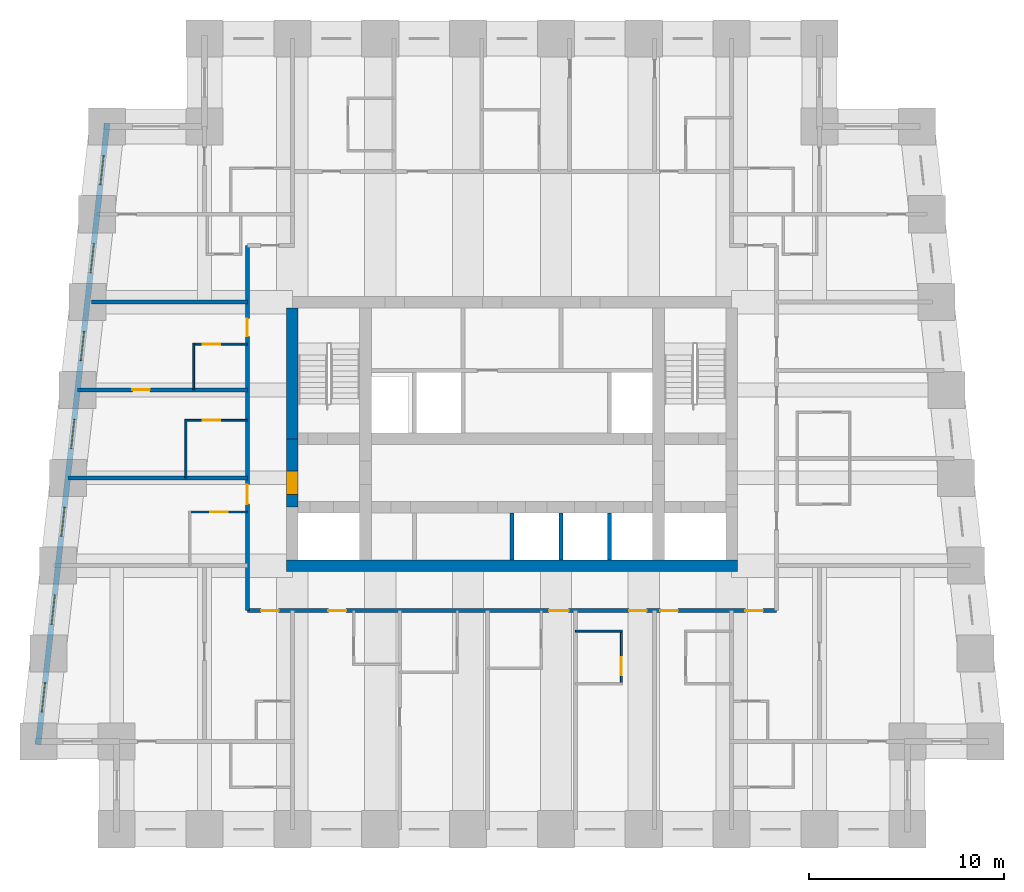
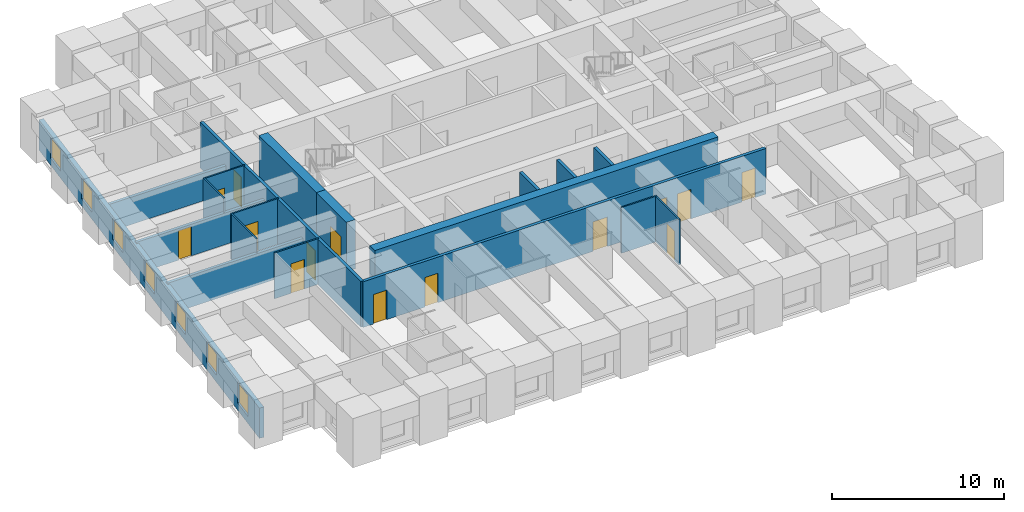
# One storey, part 3 of 8: 19 walls, 14 doors, 7 windows, 21 openings.
"""IFC4 building model written with IfcOpenShell, lengths in metres."""

from ifc_helpers import new_model, si_unit, direction, frame, frame_2d, origin, place, context, subcontext, project, spatial, rectangle, extrude, material, layer, layer_set, type_object, element, fill, save


model = new_model("IFC4")

# Units and contexts
model_context = context("Model", 3, precision=1e-05, world=origin(), true_north=direction((0.0, 1.0)))
body_context = subcontext(model_context, "Body", "Model", "MODEL_VIEW")
ifc_project = project(units=[si_unit("LENGTHUNIT", "METRE"), si_unit("AREAUNIT", "SQUARE_METRE"), si_unit("VOLUMEUNIT", "CUBIC_METRE"), si_unit("PLANEANGLEUNIT", "RADIAN"), si_unit("MASSUNIT", "GRAM", prefix="KILO")], contexts=[model_context])

# Site, building, storey
site_placement = place(None, origin())
site = spatial("IfcSite", under=ifc_project, at=site_placement, CompositionType="ELEMENT")
building_placement = place(site_placement, origin())
building = spatial("IfcBuilding", under=site, at=building_placement, Name="Kilele Tower Hotel", CompositionType="ELEMENT")
storey_placement = place(building_placement, frame((0.0, 0.0, 128.39990234375)))
storey = spatial("IfcBuildingStorey", under=building, at=storey_placement, Name="L33", CompositionType="ELEMENT", Elevation=128.39990234375)

# Wall
ifc_material_1 = material(Name="Moisture-resistant board")
ifc_layer_1 = layer(ifc_material_1, 0.10009765625)
ifc_layer_set_1 = layer_set([ifc_layer_1], Name="Moisture-resistant board")
wall_type_1 = type_object("IfcWallType", Name="Bathroom partition 100", PredefinedType="PLUMBINGWALL", material=ifc_layer_set_1)
wall_1_placement = place(storey_placement, frame((28.0, 10.14990234375, 0.0), z_axis=(0.0, 0.0, 1.0), x_axis=(1.0, 0.0, 0.0)))
element("IfcWall", 1, at=wall_1_placement, inside=storey, type_object=wall_type_1, Name="Bathroom partition 100 L33", PredefinedType="PLUMBINGWALL", context=body_context, shape_type="SweptSolid", body=[
    extrude(rectangle(XDim=2.39990234375, YDim=0.10009765625, at=frame_2d((1.199951171875, 0.0))), origin(), (0.0, 0.0, 1.0), 3.25),
])

# Wall, opening, door
wall_2_placement = place(storey_placement, frame((30.35009765625, 10.199951171875, 0.0), z_axis=(0.0, 0.0, 1.0), x_axis=(0.0, -1.0, 0.0)))
wall_2 = element("IfcWall", 2, at=wall_2_placement, inside=storey, type_object=wall_type_1, Name="Bathroom partition 100 L33", PredefinedType="PLUMBINGWALL", context=body_context, shape_type="SweptSolid", body=[
    extrude(rectangle(XDim=2.800048828125, YDim=0.10009765625, at=frame_2d((1.39990234375, 0.0))), origin(), (0.0, 0.0, 1.0), 3.25),
])
opening_1_placement = place(wall_2_placement, frame((1.39990234375, 0.0, 0.0)))
opening_1 = element("IfcOpeningElement", 3, at=opening_1_placement, cuts=wall_2, Name="Opening D2A", PredefinedType="OPENING", context=body_context, shape_type="SweptSolid", body=[
    extrude(rectangle(XDim=0.89990234375, YDim=2.10009765625, at=frame_2d((0.449951171875, 1.050048828125))), frame((0.0, 0.06005859375, 0.0), z_axis=(0.0, -1.0, 0.0), x_axis=(1.0, 0.0, 0.0)), (0.0, 0.0, 1.0), 0.1201171875),
])
ifc_material_2 = material(Name="Timber door leaf in hardwood frame", Category="wood")
door_type_1 = type_object("IfcDoorType", Name="Bathroom door 900", OperationType="SINGLE_SWING_LEFT", PredefinedType="DOOR", material=ifc_material_2)
door_1_placement = place(opening_1_placement, origin())
door_1 = element("IfcDoor", 4, at=door_1_placement, inside=storey, type_object=door_type_1, Name="Bathroom door 3304B", OperationType="SINGLE_SWING_RIGHT", OverallHeight=2.10009765625, OverallWidth=0.89990234375, PredefinedType="DOOR", context=body_context, shape_type="SweptSolid", body=[
    extrude(rectangle(XDim=0.89990234375, YDim=2.10009765625, at=frame_2d((0.449951171875, 1.050048828125))), frame((0.0, 0.02490234375, 0.0), z_axis=(0.0, -1.0, 0.0), x_axis=(1.0, 0.0, 0.0)), (0.0, 0.0, 1.0), 0.050048828125),
])
fill(opening_1, door_1)

wall_3_placement = place(storey_placement, frame((11.199951171875, 16.25, 0.0), z_axis=(0.0, 0.0, 1.0), x_axis=(-1.0, 0.0, 0.0)))
wall_3 = element("IfcWall", 5, at=wall_3_placement, inside=storey, type_object=wall_type_1, Name="Bathroom partition 100 L33", PredefinedType="PLUMBINGWALL", context=body_context, shape_type="SweptSolid", body=[
    extrude(rectangle(XDim=3.0, YDim=0.10009765625, at=frame_2d((1.5, 0.0))), origin(), (0.0, 0.0, 1.0), 3.25),
])
opening_2_placement = place(wall_3_placement, frame((1.89990234375, 0.0, 0.0), z_axis=(0.0, 0.0, 1.0), x_axis=(-1.0, 0.0, 0.0)))
opening_2 = element("IfcOpeningElement", 6, at=opening_2_placement, cuts=wall_3, Name="Opening D2A", PredefinedType="OPENING", context=body_context, shape_type="SweptSolid", body=[
    extrude(rectangle(XDim=0.89990234375, YDim=2.10009765625, at=frame_2d((0.449951171875, 1.050048828125))), frame((0.0, 0.06005859375, 0.0), z_axis=(0.0, -1.0, 0.0), x_axis=(1.0, 0.0, 0.0)), (0.0, 0.0, 1.0), 0.1201171875),
])
door_2_placement = place(opening_2_placement, origin())
door_2 = element("IfcDoor", 7, at=door_2_placement, inside=storey, type_object=door_type_1, Name="Bathroom door 3314B", OperationType="SINGLE_SWING_RIGHT", OverallHeight=2.10009765625, OverallWidth=0.89990234375, PredefinedType="DOOR", context=body_context, shape_type="SweptSolid", body=[
    extrude(rectangle(XDim=0.89990234375, YDim=2.10009765625, at=frame_2d((0.449951171875, 1.050048828125))), frame((0.0, 0.02490234375, 0.0), z_axis=(0.0, -1.0, 0.0), x_axis=(1.0, 0.0, 0.0)), (0.0, 0.0, 1.0), 0.050048828125),
])
fill(opening_2, door_2)

# Wall
wall_4_placement = place(storey_placement, frame((8.050048828125, 18.0, 0.0), z_axis=(0.0, 0.0, 1.0), x_axis=(0.0, 1.0, 0.0)))
element("IfcWall", 8, at=wall_4_placement, inside=storey, type_object=wall_type_1, Name="Bathroom partition 100 L33", PredefinedType="PLUMBINGWALL", context=body_context, shape_type="SweptSolid", body=[
    extrude(rectangle(XDim=3.0, YDim=0.10009765625, at=frame_2d((1.5, 0.0))), origin(), (0.0, 0.0, 1.0), 3.25),
])

# Wall, opening, door
wall_5_placement = place(storey_placement, frame((11.199951171875, 20.949951171875, 0.0), z_axis=(0.0, 0.0, 1.0), x_axis=(-1.0, 0.0, 0.0)))
wall_5 = element("IfcWall", 9, at=wall_5_placement, inside=storey, type_object=wall_type_1, Name="Bathroom partition 100 L33", PredefinedType="PLUMBINGWALL", context=body_context, shape_type="SweptSolid", body=[
    extrude(rectangle(XDim=3.199951171875, YDim=0.10009765625, at=frame_2d((1.60009765625, 0.0))), origin(), (0.0, 0.0, 1.0), 3.25),
])
opening_3_placement = place(wall_5_placement, frame((2.2998046875, 0.0, 0.0), z_axis=(0.0, 0.0, 1.0), x_axis=(-1.0, 0.0, 0.0)))
opening_3 = element("IfcOpeningElement", 10, at=opening_3_placement, cuts=wall_5, Name="Opening D2A", PredefinedType="OPENING", context=body_context, shape_type="SweptSolid", body=[
    extrude(rectangle(XDim=0.89990234375, YDim=2.10009765625, at=frame_2d((0.449951171875, 1.050048828125))), frame((0.0, 0.06005859375, 0.0), z_axis=(0.0, -1.0, 0.0), x_axis=(1.0, 0.0, 0.0)), (0.0, 0.0, 1.0), 0.1201171875),
])
door_3_placement = place(opening_3_placement, origin())
door_3 = element("IfcDoor", 11, at=door_3_placement, inside=storey, type_object=door_type_1, Name="Bathroom door 3315B", OperationType="SINGLE_SWING_RIGHT", OverallHeight=2.10009765625, OverallWidth=0.89990234375, PredefinedType="DOOR", context=body_context, shape_type="SweptSolid", body=[
    extrude(rectangle(XDim=0.89990234375, YDim=2.10009765625, at=frame_2d((0.449951171875, 1.050048828125))), frame((0.0, 0.02490234375, 0.0), z_axis=(0.0, -1.0, 0.0), x_axis=(1.0, 0.0, 0.0)), (0.0, 0.0, 1.0), 0.050048828125),
])
fill(opening_3, door_3)

# Wall
wall_6_placement = place(storey_placement, frame((8.449951171875, 22.5, 0.0), z_axis=(0.0, 0.0, 1.0), x_axis=(0.0, 1.0, 0.0)))
element("IfcWall", 12, at=wall_6_placement, inside=storey, type_object=wall_type_1, Name="Bathroom partition 100 L33", PredefinedType="PLUMBINGWALL", context=body_context, shape_type="SweptSolid", body=[
    extrude(rectangle(XDim=2.39990234375, YDim=0.10009765625, at=frame_2d((1.199951171875, 0.0))), origin(), (0.0, 0.0, 1.0), 3.25),
])

# Wall, opening, door
wall_7_placement = place(storey_placement, frame((11.199951171875, 24.85009765625, 0.0), z_axis=(0.0, 0.0, 1.0), x_axis=(-1.0, 0.0, 0.0)))
wall_7 = element("IfcWall", 13, at=wall_7_placement, inside=storey, type_object=wall_type_1, Name="Bathroom partition 100 L33", PredefinedType="PLUMBINGWALL", context=body_context, shape_type="SweptSolid", body=[
    extrude(rectangle(XDim=2.800048828125, YDim=0.10009765625, at=frame_2d((1.39990234375, 0.0))), origin(), (0.0, 0.0, 1.0), 3.25),
])
opening_4_placement = place(wall_7_placement, frame((2.2998046875, 0.0, 0.0), z_axis=(0.0, 0.0, 1.0), x_axis=(-1.0, 0.0, 0.0)))
opening_4 = element("IfcOpeningElement", 14, at=opening_4_placement, cuts=wall_7, Name="Opening D2A", PredefinedType="OPENING", context=body_context, shape_type="SweptSolid", body=[
    extrude(rectangle(XDim=0.89990234375, YDim=2.10009765625, at=frame_2d((0.449951171875, 1.050048828125))), frame((0.0, 0.06005859375, 0.0), z_axis=(0.0, -1.0, 0.0), x_axis=(1.0, 0.0, 0.0)), (0.0, 0.0, 1.0), 0.1201171875),
])
door_4_placement = place(opening_4_placement, origin())
door_4 = element("IfcDoor", 15, at=door_4_placement, inside=storey, type_object=door_type_1, Name="Bathroom door 3316B", OperationType="SINGLE_SWING_RIGHT", OverallHeight=2.10009765625, OverallWidth=0.89990234375, PredefinedType="DOOR", context=body_context, shape_type="SweptSolid", body=[
    extrude(rectangle(XDim=0.89990234375, YDim=2.10009765625, at=frame_2d((0.449951171875, 1.050048828125))), frame((0.0, 0.02490234375, 0.0), z_axis=(0.0, -1.0, 0.0), x_axis=(1.0, 0.0, 0.0)), (0.0, 0.0, 1.0), 0.050048828125),
])
fill(opening_4, door_4)

# Walls
ifc_material_3 = material(Name="Concrete C60/75", Category="concrete")
ifc_layer_2 = layer(ifc_material_3, 0.60009765625)
ifc_layer_set_2 = layer_set([ifc_layer_2], Name="Concrete C60/75")
wall_type_2 = type_object("IfcWallType", Name="Core wall 600 C60/75", PredefinedType="SHEAR", material=ifc_layer_set_2)
wall_8_placement = place(storey_placement, frame((13.199951171875, 13.5, 0.0), z_axis=(0.0, 0.0, 1.0), x_axis=(1.0, 0.0, 0.0)))
element("IfcWall", 16, at=wall_8_placement, inside=storey, type_object=wall_type_2, Name="Core wall S L33", PredefinedType="SHEAR", context=body_context, shape_type="SweptSolid", body=[
    extrude(rectangle(XDim=23.10009765625, YDim=0.60009765625, at=frame_2d((11.550048828125, 0.0))), origin(), (0.0, 0.0, 1.0), 3.5),
])
wall_9_placement = place(storey_placement, frame((13.5, 26.699951171875, 0.0), z_axis=(0.0, 0.0, 1.0), x_axis=(0.0, -1.0, 0.0)))
element("IfcWall", 17, at=wall_9_placement, inside=storey, type_object=wall_type_2, Name="Core wall W1 L33", PredefinedType="SHEAR", context=body_context, shape_type="SweptSolid", body=[
    extrude(rectangle(XDim=6.699951171875, YDim=0.60009765625, at=frame_2d((3.35009765625, 0.0))), origin(), (0.0, 0.0, 1.0), 3.5),
])

# Wall, opening, door
wall_10_placement = place(storey_placement, frame((13.5, 20.0, 0.0), z_axis=(0.0, 0.0, 1.0), x_axis=(0.0, -1.0, 0.0)))
wall_10 = element("IfcWall", 18, at=wall_10_placement, inside=storey, type_object=wall_type_2, Name="Core wall W2 L33", PredefinedType="SHEAR", context=body_context, shape_type="SweptSolid", body=[
    extrude(rectangle(XDim=3.5, YDim=0.60009765625, at=frame_2d((1.75, 0.0))), origin(), (0.0, 0.0, 1.0), 3.5),
])
opening_5_placement = place(wall_10_placement, frame((1.64990234375, 0.0, 0.0)))
opening_5 = element("IfcOpeningElement", 19, at=opening_5_placement, cuts=wall_10, Name="Opening D4", PredefinedType="OPENING", context=body_context, shape_type="SweptSolid", body=[
    extrude(rectangle(XDim=1.199951171875, YDim=2.10009765625, at=frame_2d((0.60009765625, 1.050048828125))), frame((0.0, 0.31005859375, 0.0), z_axis=(0.0, -1.0, 0.0), x_axis=(1.0, 0.0, 0.0)), (0.0, 0.0, 1.0), 0.6201171875),
])
ifc_material_4 = material(Name="Timber door leaf in hardwood frame", Category="wood")
door_type_2 = type_object("IfcDoorType", Name="Firefighting lobby door 1200", OperationType="SINGLE_SWING_LEFT", PredefinedType="DOOR", material=ifc_material_4)
door_5_placement = place(opening_5_placement, origin())
door_5 = element("IfcDoor", 20, at=door_5_placement, inside=storey, type_object=door_type_2, Name="Lobby door L33", OperationType="SINGLE_SWING_RIGHT", OverallHeight=2.10009765625, OverallWidth=1.199951171875, PredefinedType="DOOR", context=body_context, shape_type="SweptSolid", body=[
    extrude(rectangle(XDim=1.199951171875, YDim=2.10009765625, at=frame_2d((0.60009765625, 1.050048828125))), frame((0.0, 0.2998046875, 0.0), z_axis=(0.0, -1.0, 0.0), x_axis=(1.0, 0.0, 0.0)), (0.0, 0.0, 1.0), 0.599609375),
])
fill(opening_5, door_5)

# Wall, openings, doors
ifc_material_5 = material(Name="Blockwork, plastered both sides", Category="masonry")
ifc_layer_3 = layer(ifc_material_5, 0.199951171875)
ifc_layer_set_3 = layer_set([ifc_layer_3], Name="Blockwork, plastered both sides")
wall_type_3 = type_object("IfcWallType", Name="Corridor wall 200", PredefinedType="PARTITIONING", material=ifc_layer_set_3)
wall_11_placement = place(storey_placement, frame((11.199951171875, 11.199951171875, 0.0), z_axis=(0.0, 0.0, 1.0), x_axis=(1.0, 0.0, 0.0)))
wall_11 = element("IfcWall", 21, at=wall_11_placement, inside=storey, type_object=wall_type_3, Name="Corridor wall 200 L33", PredefinedType="PARTITIONING", context=body_context, shape_type="SweptSolid", body=[
    extrude(rectangle(XDim=27.10009765625, YDim=0.199951171875, at=frame_2d((13.550048828125, 0.0))), origin(), (0.0, 0.0, 1.0), 3.25),
])
opening_6_placement = place(wall_11_placement, frame((5.0498046875, 0.0, 0.0), z_axis=(0.0, 0.0, 1.0), x_axis=(-1.0, 0.0, 0.0)))
opening_6 = element("IfcOpeningElement", 22, at=opening_6_placement, cuts=wall_11, Name="Opening D1", PredefinedType="OPENING", context=body_context, shape_type="SweptSolid", body=[
    extrude(rectangle(XDim=0.89990234375, YDim=2.10009765625, at=frame_2d((0.449951171875, 1.050048828125))), frame((0.0, 0.10986328125, 0.0), z_axis=(0.0, -1.0, 0.0), x_axis=(1.0, 0.0, 0.0)), (0.0, 0.0, 1.0), 0.219970703125),
])
opening_7_placement = place(wall_11_placement, frame((16.449951171875, 0.0, 0.0), z_axis=(0.0, 0.0, 1.0), x_axis=(-1.0, 0.0, 0.0)))
opening_7 = element("IfcOpeningElement", 23, at=opening_7_placement, cuts=wall_11, Name="Opening D1A", PredefinedType="OPENING", context=body_context, shape_type="SweptSolid", body=[
    extrude(rectangle(XDim=1.0, YDim=2.10009765625, at=frame_2d((0.5, 1.050048828125))), frame((0.0, 0.10986328125, 0.0), z_axis=(0.0, -1.0, 0.0), x_axis=(1.0, 0.0, 0.0)), (0.0, 0.0, 1.0), 0.219970703125),
])
opening_8_placement = place(wall_11_placement, frame((20.449951171875, 0.0, 0.0), z_axis=(0.0, 0.0, 1.0), x_axis=(-1.0, 0.0, 0.0)))
opening_8 = element("IfcOpeningElement", 24, at=opening_8_placement, cuts=wall_11, Name="Opening D1", PredefinedType="OPENING", context=body_context, shape_type="SweptSolid", body=[
    extrude(rectangle(XDim=0.89990234375, YDim=2.10009765625, at=frame_2d((0.449951171875, 1.050048828125))), frame((0.0, 0.10986328125, 0.0), z_axis=(0.0, -1.0, 0.0), x_axis=(1.0, 0.0, 0.0)), (0.0, 0.0, 1.0), 0.219970703125),
])
opening_9_placement = place(wall_11_placement, frame((22.0498046875, 0.0, 0.0), z_axis=(0.0, 0.0, 1.0), x_axis=(-1.0, 0.0, 0.0)))
opening_9 = element("IfcOpeningElement", 25, at=opening_9_placement, cuts=wall_11, Name="Opening D1", PredefinedType="OPENING", context=body_context, shape_type="SweptSolid", body=[
    extrude(rectangle(XDim=0.89990234375, YDim=2.10009765625, at=frame_2d((0.449951171875, 1.050048828125))), frame((0.0, 0.10986328125, 0.0), z_axis=(0.0, -1.0, 0.0), x_axis=(1.0, 0.0, 0.0)), (0.0, 0.0, 1.0), 0.219970703125),
])
opening_10_placement = place(wall_11_placement, frame((1.599853515625, 0.0, 0.0), z_axis=(0.0, 0.0, 1.0), x_axis=(-1.0, 0.0, 0.0)))
opening_10 = element("IfcOpeningElement", 26, at=opening_10_placement, cuts=wall_11, Name="Opening D1", PredefinedType="OPENING", context=body_context, shape_type="SweptSolid", body=[
    extrude(rectangle(XDim=0.89990234375, YDim=2.10009765625, at=frame_2d((0.449951171875, 1.050048828125))), frame((0.0, 0.10986328125, 0.0), z_axis=(0.0, -1.0, 0.0), x_axis=(1.0, 0.0, 0.0)), (0.0, 0.0, 1.0), 0.219970703125),
])
opening_11_placement = place(wall_11_placement, frame((26.39990234375, 0.0, 0.0), z_axis=(0.0, 0.0, 1.0), x_axis=(-1.0, 0.0, 0.0)))
opening_11 = element("IfcOpeningElement", 27, at=opening_11_placement, cuts=wall_11, Name="Opening D1", PredefinedType="OPENING", context=body_context, shape_type="SweptSolid", body=[
    extrude(rectangle(XDim=0.89990234375, YDim=2.10009765625, at=frame_2d((0.449951171875, 1.050048828125))), frame((0.0, 0.10986328125, 0.0), z_axis=(0.0, -1.0, 0.0), x_axis=(1.0, 0.0, 0.0)), (0.0, 0.0, 1.0), 0.219970703125),
])
ifc_material_6 = material(Name="Timber door leaf in hardwood frame", Category="wood")
door_type_3 = type_object("IfcDoorType", Name="Guest room entrance door 1000", OperationType="SINGLE_SWING_LEFT", PredefinedType="DOOR", material=ifc_material_6)
door_6_placement = place(opening_7_placement, origin())
door_6 = element("IfcDoor", 28, at=door_6_placement, inside=storey, type_object=door_type_3, Name="Room entrance 3303", OperationType="SINGLE_SWING_LEFT", OverallHeight=2.10009765625, OverallWidth=1.0, PredefinedType="DOOR", context=body_context, shape_type="SweptSolid", body=[
    extrude(rectangle(XDim=1.0, YDim=2.10009765625, at=frame_2d((0.5, 1.050048828125))), frame((0.0, 0.02490234375, 0.0), z_axis=(0.0, -1.0, 0.0), x_axis=(1.0, 0.0, 0.0)), (0.0, 0.0, 1.0), 0.050048828125),
])
fill(opening_7, door_6)
ifc_material_7 = material(Name="Timber door leaf in hardwood frame", Category="wood")
door_type_4 = type_object("IfcDoorType", Name="Guest room entrance door 900", OperationType="SINGLE_SWING_LEFT", PredefinedType="DOOR", material=ifc_material_7)
door_7_placement = place(opening_6_placement, origin())
door_7 = element("IfcDoor", 29, at=door_7_placement, inside=storey, type_object=door_type_4, Name="Room entrance 3301", OperationType="SINGLE_SWING_LEFT", OverallHeight=2.10009765625, OverallWidth=0.89990234375, PredefinedType="DOOR", context=body_context, shape_type="SweptSolid", body=[
    extrude(rectangle(XDim=0.89990234375, YDim=2.10009765625, at=frame_2d((0.449951171875, 1.050048828125))), frame((0.0, 0.02490234375, 0.0), z_axis=(0.0, -1.0, 0.0), x_axis=(1.0, 0.0, 0.0)), (0.0, 0.0, 1.0), 0.050048828125),
])
fill(opening_6, door_7)
door_8_placement = place(opening_8_placement, origin())
door_8 = element("IfcDoor", 30, at=door_8_placement, inside=storey, type_object=door_type_4, Name="Room entrance 3304", OperationType="SINGLE_SWING_LEFT", OverallHeight=2.10009765625, OverallWidth=0.89990234375, PredefinedType="DOOR", context=body_context, shape_type="SweptSolid", body=[
    extrude(rectangle(XDim=0.89990234375, YDim=2.10009765625, at=frame_2d((0.449951171875, 1.050048828125))), frame((0.0, 0.02490234375, 0.0), z_axis=(0.0, -1.0, 0.0), x_axis=(1.0, 0.0, 0.0)), (0.0, 0.0, 1.0), 0.050048828125),
])
fill(opening_8, door_8)
door_9_placement = place(opening_9_placement, origin())
door_9 = element("IfcDoor", 31, at=door_9_placement, inside=storey, type_object=door_type_4, Name="Room entrance 3305", OperationType="SINGLE_SWING_RIGHT", OverallHeight=2.10009765625, OverallWidth=0.89990234375, PredefinedType="DOOR", context=body_context, shape_type="SweptSolid", body=[
    extrude(rectangle(XDim=0.89990234375, YDim=2.10009765625, at=frame_2d((0.449951171875, 1.050048828125))), frame((0.0, 0.02490234375, 0.0), z_axis=(0.0, -1.0, 0.0), x_axis=(1.0, 0.0, 0.0)), (0.0, 0.0, 1.0), 0.050048828125),
])
fill(opening_9, door_9)
door_10_placement = place(opening_10_placement, origin())
door_10 = element("IfcDoor", 32, at=door_10_placement, inside=storey, type_object=door_type_4, Name="Room entrance 3317", OperationType="SINGLE_SWING_LEFT", OverallHeight=2.10009765625, OverallWidth=0.89990234375, PredefinedType="DOOR", context=body_context, shape_type="SweptSolid", body=[
    extrude(rectangle(XDim=0.89990234375, YDim=2.10009765625, at=frame_2d((0.449951171875, 1.050048828125))), frame((0.0, 0.02490234375, 0.0), z_axis=(0.0, -1.0, 0.0), x_axis=(1.0, 0.0, 0.0)), (0.0, 0.0, 1.0), 0.050048828125),
])
fill(opening_10, door_10)
door_11_placement = place(opening_11_placement, origin())
door_11 = element("IfcDoor", 33, at=door_11_placement, inside=storey, type_object=door_type_4, Name="Room entrance 3320", OperationType="SINGLE_SWING_RIGHT", OverallHeight=2.10009765625, OverallWidth=0.89990234375, PredefinedType="DOOR", context=body_context, shape_type="SweptSolid", body=[
    extrude(rectangle(XDim=0.89990234375, YDim=2.10009765625, at=frame_2d((0.449951171875, 1.050048828125))), frame((0.0, 0.02490234375, 0.0), z_axis=(0.0, -1.0, 0.0), x_axis=(1.0, 0.0, 0.0)), (0.0, 0.0, 1.0), 0.050048828125),
])
fill(opening_11, door_11)

wall_12_placement = place(storey_placement, frame((11.199951171875, 11.199951171875, 0.0), z_axis=(0.0, 0.0, 1.0), x_axis=(0.0, 1.0, 0.0)))
wall_12 = element("IfcWall", 34, at=wall_12_placement, inside=storey, type_object=wall_type_3, Name="Corridor wall 200 L33", PredefinedType="PARTITIONING", context=body_context, shape_type="SweptSolid", body=[
    extrude(rectangle(XDim=18.699951171875, YDim=0.199951171875, at=frame_2d((9.35009765625, 0.0))), origin(), (0.0, 0.0, 1.0), 3.25),
])
opening_12_placement = place(wall_12_placement, frame((5.449951171875, 0.0, 0.0)))
opening_12 = element("IfcOpeningElement", 35, at=opening_12_placement, cuts=wall_12, Name="Opening D8", PredefinedType="OPENING", context=body_context, shape_type="SweptSolid", body=[
    extrude(rectangle(XDim=1.0, YDim=2.10009765625, at=frame_2d((0.5, 1.050048828125))), frame((0.0, 0.10986328125, 0.0), z_axis=(0.0, -1.0, 0.0), x_axis=(1.0, 0.0, 0.0)), (0.0, 0.0, 1.0), 0.219970703125),
])
opening_13_placement = place(wall_12_placement, frame((14.050048828125, 0.0, 0.0)))
opening_13 = element("IfcOpeningElement", 36, at=opening_13_placement, cuts=wall_12, Name="Opening D1", PredefinedType="OPENING", context=body_context, shape_type="SweptSolid", body=[
    extrude(rectangle(XDim=0.89990234375, YDim=2.10009765625, at=frame_2d((0.449951171875, 1.050048828125))), frame((0.0, 0.10986328125, 0.0), z_axis=(0.0, -1.0, 0.0), x_axis=(1.0, 0.0, 0.0)), (0.0, 0.0, 1.0), 0.219970703125),
])
ifc_material_8 = material(Name="Timber door leaf in hardwood frame", Category="wood")
door_type_5 = type_object("IfcDoorType", Name="Door 1000", OperationType="SINGLE_SWING_LEFT", PredefinedType="DOOR", material=ifc_material_8)
door_12_placement = place(opening_12_placement, origin())
door_12 = element("IfcDoor", 37, at=door_12_placement, inside=storey, type_object=door_type_5, Name="Room entrance 3314", OperationType="SINGLE_SWING_LEFT", OverallHeight=2.10009765625, OverallWidth=1.0, PredefinedType="DOOR", context=body_context, shape_type="SweptSolid", body=[
    extrude(rectangle(XDim=1.0, YDim=2.10009765625, at=frame_2d((0.5, 1.050048828125))), frame((0.0, 0.02490234375, 0.0), z_axis=(0.0, -1.0, 0.0), x_axis=(1.0, 0.0, 0.0)), (0.0, 0.0, 1.0), 0.050048828125),
])
fill(opening_12, door_12)
door_13_placement = place(opening_13_placement, origin())
door_13 = element("IfcDoor", 38, at=door_13_placement, inside=storey, type_object=door_type_4, Name="Room entrance 3316", OperationType="SINGLE_SWING_LEFT", OverallHeight=2.10009765625, OverallWidth=0.89990234375, PredefinedType="DOOR", context=body_context, shape_type="SweptSolid", body=[
    extrude(rectangle(XDim=0.89990234375, YDim=2.10009765625, at=frame_2d((0.449951171875, 1.050048828125))), frame((0.0, 0.02490234375, 0.0), z_axis=(0.0, -1.0, 0.0), x_axis=(1.0, 0.0, 0.0)), (0.0, 0.0, 1.0), 0.050048828125),
])
fill(opening_13, door_13)

# Wall
ifc_material_9 = material(Name="Blockwork, plastered both sides", Category="masonry")
ifc_layer_4 = layer(ifc_material_9, 0.199951171875)
ifc_layer_set_4 = layer_set([ifc_layer_4], Name="Blockwork, plastered both sides")
wall_type_4 = type_object("IfcWallType", Name="Party wall 200", PredefinedType="PARTITIONING", material=ifc_layer_set_4)
wall_13_placement = place(storey_placement, frame((11.199951171875, 18.0, 0.0), z_axis=(0.0, 0.0, 1.0), x_axis=(-1.0, 0.0, 0.0)))
element("IfcWall", 39, at=wall_13_placement, inside=storey, type_object=wall_type_4, Name="Party wall 200 L33", PredefinedType="PARTITIONING", context=body_context, shape_type="SweptSolid", body=[
    extrude(rectangle(XDim=9.198974609375, YDim=0.199951171875, at=frame_2d((4.599609375, 0.0))), origin(), (0.0, 0.0, 1.0), 2.25),
])

# Wall, opening, door
wall_14_placement = place(storey_placement, frame((11.199951171875, 22.5, 0.0), z_axis=(0.0, 0.0, 1.0), x_axis=(-1.0, 0.0, 0.0)))
wall_14 = element("IfcWall", 40, at=wall_14_placement, inside=storey, type_object=wall_type_4, Name="Party wall 200 L33", PredefinedType="PARTITIONING", context=body_context, shape_type="SweptSolid", body=[
    extrude(rectangle(XDim=8.698974609375, YDim=0.199951171875, at=frame_2d((4.349609375, 0.0))), origin(), (0.0, 0.0, 1.0), 2.25),
])
opening_14_placement = place(wall_14_placement, frame((5.0, 0.0, 0.0)))
opening_14 = element("IfcOpeningElement", 41, at=opening_14_placement, cuts=wall_14, Name="Opening D3", PredefinedType="OPENING", context=body_context, shape_type="SweptSolid", body=[
    extrude(rectangle(XDim=0.89990234375, YDim=2.10009765625, at=frame_2d((0.449951171875, 1.050048828125))), frame((0.0, 0.10986328125, 0.0), z_axis=(0.0, -1.0, 0.0), x_axis=(1.0, 0.0, 0.0)), (0.0, 0.0, 1.0), 0.219970703125),
])
ifc_material_10 = material(Name="Timber door leaf in hardwood frame", Category="wood")
door_type_6 = type_object("IfcDoorType", Name="Suite internal door 900", OperationType="SINGLE_SWING_LEFT", PredefinedType="DOOR", material=ifc_material_10)
door_14_placement = place(opening_14_placement, origin())
door_14 = element("IfcDoor", 42, at=door_14_placement, inside=storey, type_object=door_type_6, Name="Suite door 3316", OperationType="SINGLE_SWING_RIGHT", OverallHeight=2.10009765625, OverallWidth=0.89990234375, PredefinedType="DOOR", context=body_context, shape_type="SweptSolid", body=[
    extrude(rectangle(XDim=0.89990234375, YDim=2.10009765625, at=frame_2d((0.449951171875, 1.050048828125))), frame((0.0, 0.02490234375, 0.0), z_axis=(0.0, -1.0, 0.0), x_axis=(1.0, 0.0, 0.0)), (0.0, 0.0, 1.0), 0.050048828125),
])
fill(opening_14, door_14)

# Wall
wall_15_placement = place(storey_placement, frame((11.199951171875, 27.0, 0.0), z_axis=(0.0, 0.0, 1.0), x_axis=(-1.0, 0.0, 0.0)))
element("IfcWall", 43, at=wall_15_placement, inside=storey, type_object=wall_type_4, Name="Party wall 200 L33", PredefinedType="PARTITIONING", context=body_context, shape_type="SweptSolid", body=[
    extrude(rectangle(XDim=7.976806640625, YDim=0.199951171875, at=frame_2d((3.98828125, 0.0))), origin(), (0.0, 0.0, 1.0), 1.9501953125),
])

# Wall, openings, windows
ifc_material_11 = material(Name="Concrete C40/50 precast", Category="concrete")
ifc_layer_5 = layer(ifc_material_11, 0.260009765625, Name="Precast backing", Category="LoadBearing")
ifc_material_12 = material(Name="Reconstituted stone finish", Category="masonry")
ifc_layer_6 = layer(ifc_material_12, 0.0400390625, Name="Face mix", Category="Finish")
ifc_layer_set_5 = layer_set([ifc_layer_5, ifc_layer_6], Name="Precast concrete C40/50, reconstituted stone finish")
wall_type_5 = type_object("IfcWallType", Name="Precast stone facade wall 300", PredefinedType="STANDARD", material=ifc_layer_set_5)
wall_16_placement = place(storey_placement, frame((4.0166015625, 36.149169921875, 0.0), z_axis=(0.0, 0.0, 1.0), x_axis=(-0.110433201132, -0.993883548555, 0.0)))
wall_16 = element("IfcWall", 44, at=wall_16_placement, inside=storey, type_object=wall_type_5, Name="Facade wall L33 edge 12", PredefinedType="STANDARD", context=body_context, shape_type="SweptSolid", body=[
    extrude(rectangle(XDim=31.994140625, YDim=0.300048828125, at=frame_2d((15.9970703125, 0.0))), origin(), (0.0, 0.0, 1.0), 2.150146484375),
])
opening_15_placement = place(wall_16_placement, frame((1.6640625, 0.0, 0.5)))
opening_15 = element("IfcOpeningElement", 45, at=opening_15_placement, cuts=wall_16, Name="Opening W2", PredefinedType="OPENING", context=body_context, shape_type="SweptSolid", body=[
    extrude(rectangle(XDim=1.5, YDim=1.5, at=frame_2d((0.75, 0.75))), frame((0.0, 0.159912109375, 0.0), z_axis=(0.0, -1.0, 0.0), x_axis=(1.0, 0.0, 0.0)), (0.0, 0.0, 1.0), 0.320068359375),
])
opening_16_placement = place(wall_16_placement, frame((6.19189453125, 0.0, 0.5)))
opening_16 = element("IfcOpeningElement", 46, at=opening_16_placement, cuts=wall_16, Name="Opening W2", PredefinedType="OPENING", context=body_context, shape_type="SweptSolid", body=[
    extrude(rectangle(XDim=1.5, YDim=1.5, at=frame_2d((0.75, 0.75))), frame((0.0, 0.159912109375, 0.0), z_axis=(0.0, -1.0, 0.0), x_axis=(1.0, 0.0, 0.0)), (0.0, 0.0, 1.0), 0.320068359375),
])
opening_17_placement = place(wall_16_placement, frame((10.718994140625, 0.0, 0.5)))
opening_17 = element("IfcOpeningElement", 47, at=opening_17_placement, cuts=wall_16, Name="Opening W2", PredefinedType="OPENING", context=body_context, shape_type="SweptSolid", body=[
    extrude(rectangle(XDim=1.5, YDim=1.5, at=frame_2d((0.75, 0.75))), frame((0.0, 0.159912109375, 0.0), z_axis=(0.0, -1.0, 0.0), x_axis=(1.0, 0.0, 0.0)), (0.0, 0.0, 1.0), 0.320068359375),
])
opening_18_placement = place(wall_16_placement, frame((15.2470703125, 0.0, 0.5)))
opening_18 = element("IfcOpeningElement", 48, at=opening_18_placement, cuts=wall_16, Name="Opening W2", PredefinedType="OPENING", context=body_context, shape_type="SweptSolid", body=[
    extrude(rectangle(XDim=1.5, YDim=1.5, at=frame_2d((0.75, 0.75))), frame((0.0, 0.159912109375, 0.0), z_axis=(0.0, -1.0, 0.0), x_axis=(1.0, 0.0, 0.0)), (0.0, 0.0, 1.0), 0.320068359375),
])
opening_19_placement = place(wall_16_placement, frame((19.77490234375, 0.0, 0.5)))
opening_19 = element("IfcOpeningElement", 49, at=opening_19_placement, cuts=wall_16, Name="Opening W2", PredefinedType="OPENING", context=body_context, shape_type="SweptSolid", body=[
    extrude(rectangle(XDim=1.5, YDim=1.5, at=frame_2d((0.75, 0.75))), frame((0.0, 0.159912109375, 0.0), z_axis=(0.0, -1.0, 0.0), x_axis=(1.0, 0.0, 0.0)), (0.0, 0.0, 1.0), 0.320068359375),
])
opening_20_placement = place(wall_16_placement, frame((24.302001953125, 0.0, 0.5)))
opening_20 = element("IfcOpeningElement", 50, at=opening_20_placement, cuts=wall_16, Name="Opening W2", PredefinedType="OPENING", context=body_context, shape_type="SweptSolid", body=[
    extrude(rectangle(XDim=1.5, YDim=1.5, at=frame_2d((0.75, 0.75))), frame((0.0, 0.159912109375, 0.0), z_axis=(0.0, -1.0, 0.0), x_axis=(1.0, 0.0, 0.0)), (0.0, 0.0, 1.0), 0.320068359375),
])
opening_21_placement = place(wall_16_placement, frame((28.830078125, 0.0, 0.5)))
opening_21 = element("IfcOpeningElement", 51, at=opening_21_placement, cuts=wall_16, Name="Opening W2", PredefinedType="OPENING", context=body_context, shape_type="SweptSolid", body=[
    extrude(rectangle(XDim=1.5, YDim=1.5, at=frame_2d((0.75, 0.75))), frame((0.0, 0.159912109375, 0.0), z_axis=(0.0, -1.0, 0.0), x_axis=(1.0, 0.0, 0.0)), (0.0, 0.0, 1.0), 0.320068359375),
])
ifc_material_13 = material(Name="Aluminium frame, clear double glazing", Category="aluminium")
window_type = type_object("IfcWindowType", Name="Window W2 1500 x 1500", PartitioningType="SINGLE_PANEL", PredefinedType="WINDOW", material=ifc_material_13)
window_1_placement = place(opening_15_placement, origin())
window_1 = element("IfcWindow", 52, at=window_1_placement, inside=storey, type_object=window_type, Name="Window L33", OverallHeight=1.5, OverallWidth=1.5, PartitioningType="SINGLE_PANEL", PredefinedType="WINDOW", context=body_context, shape_type="SweptSolid", body=[
    extrude(rectangle(XDim=1.5, YDim=1.5, at=frame_2d((0.75, 0.75))), frame((0.0, 0.030029296875, 0.0), z_axis=(0.0, -1.0, 0.0), x_axis=(1.0, 0.0, 0.0)), (0.0, 0.0, 1.0), 0.06005859375),
])
fill(opening_15, window_1)
window_2_placement = place(opening_16_placement, origin())
window_2 = element("IfcWindow", 53, at=window_2_placement, inside=storey, type_object=window_type, Name="Window L33", OverallHeight=1.5, OverallWidth=1.5, PartitioningType="SINGLE_PANEL", PredefinedType="WINDOW", context=body_context, shape_type="SweptSolid", body=[
    extrude(rectangle(XDim=1.5, YDim=1.5, at=frame_2d((0.75, 0.75))), frame((0.0, 0.030029296875, 0.0), z_axis=(0.0, -1.0, 0.0), x_axis=(1.0, 0.0, 0.0)), (0.0, 0.0, 1.0), 0.06005859375),
])
fill(opening_16, window_2)
window_3_placement = place(opening_17_placement, origin())
window_3 = element("IfcWindow", 54, at=window_3_placement, inside=storey, type_object=window_type, Name="Window L33", OverallHeight=1.5, OverallWidth=1.5, PartitioningType="SINGLE_PANEL", PredefinedType="WINDOW", context=body_context, shape_type="SweptSolid", body=[
    extrude(rectangle(XDim=1.5, YDim=1.5, at=frame_2d((0.75, 0.75))), frame((0.0, 0.030029296875, 0.0), z_axis=(0.0, -1.0, 0.0), x_axis=(1.0, 0.0, 0.0)), (0.0, 0.0, 1.0), 0.06005859375),
])
fill(opening_17, window_3)
window_4_placement = place(opening_18_placement, origin())
window_4 = element("IfcWindow", 55, at=window_4_placement, inside=storey, type_object=window_type, Name="Window L33", OverallHeight=1.5, OverallWidth=1.5, PartitioningType="SINGLE_PANEL", PredefinedType="WINDOW", context=body_context, shape_type="SweptSolid", body=[
    extrude(rectangle(XDim=1.5, YDim=1.5, at=frame_2d((0.75, 0.75))), frame((0.0, 0.030029296875, 0.0), z_axis=(0.0, -1.0, 0.0), x_axis=(1.0, 0.0, 0.0)), (0.0, 0.0, 1.0), 0.06005859375),
])
fill(opening_18, window_4)
window_5_placement = place(opening_19_placement, origin())
window_5 = element("IfcWindow", 56, at=window_5_placement, inside=storey, type_object=window_type, Name="Window L33", OverallHeight=1.5, OverallWidth=1.5, PartitioningType="SINGLE_PANEL", PredefinedType="WINDOW", context=body_context, shape_type="SweptSolid", body=[
    extrude(rectangle(XDim=1.5, YDim=1.5, at=frame_2d((0.75, 0.75))), frame((0.0, 0.030029296875, 0.0), z_axis=(0.0, -1.0, 0.0), x_axis=(1.0, 0.0, 0.0)), (0.0, 0.0, 1.0), 0.06005859375),
])
fill(opening_19, window_5)
window_6_placement = place(opening_20_placement, origin())
window_6 = element("IfcWindow", 57, at=window_6_placement, inside=storey, type_object=window_type, Name="Window L33", OverallHeight=1.5, OverallWidth=1.5, PartitioningType="SINGLE_PANEL", PredefinedType="WINDOW", context=body_context, shape_type="SweptSolid", body=[
    extrude(rectangle(XDim=1.5, YDim=1.5, at=frame_2d((0.75, 0.75))), frame((0.0, 0.030029296875, 0.0), z_axis=(0.0, -1.0, 0.0), x_axis=(1.0, 0.0, 0.0)), (0.0, 0.0, 1.0), 0.06005859375),
])
fill(opening_20, window_6)
window_7_placement = place(opening_21_placement, origin())
window_7 = element("IfcWindow", 58, at=window_7_placement, inside=storey, type_object=window_type, Name="Window L33", OverallHeight=1.5, OverallWidth=1.5, PartitioningType="SINGLE_PANEL", PredefinedType="WINDOW", context=body_context, shape_type="SweptSolid", body=[
    extrude(rectangle(XDim=1.5, YDim=1.5, at=frame_2d((0.75, 0.75))), frame((0.0, 0.030029296875, 0.0), z_axis=(0.0, -1.0, 0.0), x_axis=(1.0, 0.0, 0.0)), (0.0, 0.0, 1.0), 0.06005859375),
])
fill(opening_21, window_7)

# Walls
ifc_material_14 = material(Name="Blockwork, fire-rated", Category="masonry")
ifc_layer_7 = layer(ifc_material_14, 0.199951171875)
ifc_layer_set_6 = layer_set([ifc_layer_7], Name="Blockwork, fire-rated")
wall_type_6 = type_object("IfcWallType", Name="Shaft wall 200", PredefinedType="PARTITIONING", material=ifc_layer_set_6)
for number, where, z_axis, x_axis, name in (
    (59, (24.75, 13.800048828125, 0.0), (0.0, 0.0, 1.0), (0.0, 1.0, 0.0), "Shaft wall 200 L33"),
    (60, (27.25, 13.800048828125, 0.0), (0.0, 0.0, 1.0), (0.0, 1.0, 0.0), "Shaft wall 200 L33"),
    (61, (29.75, 13.800048828125, 0.0), (0.0, 0.0, 1.0), (0.0, 1.0, 0.0), "Shaft wall 200 L33"),
):
    element("IfcWall", number, at=place(storey_placement, frame(where, z_axis=z_axis, x_axis=x_axis)), inside=storey, type_object=wall_type_6, Name=name, PredefinedType="PARTITIONING", context=body_context, shape_type="SweptSolid", body=[
        extrude(rectangle(XDim=2.39990234375, YDim=0.199951171875, at=frame_2d((1.199951171875, 0.0))), origin(), (0.0, 0.0, 1.0), 3.25),
    ])

save(model, "model.ifc")
